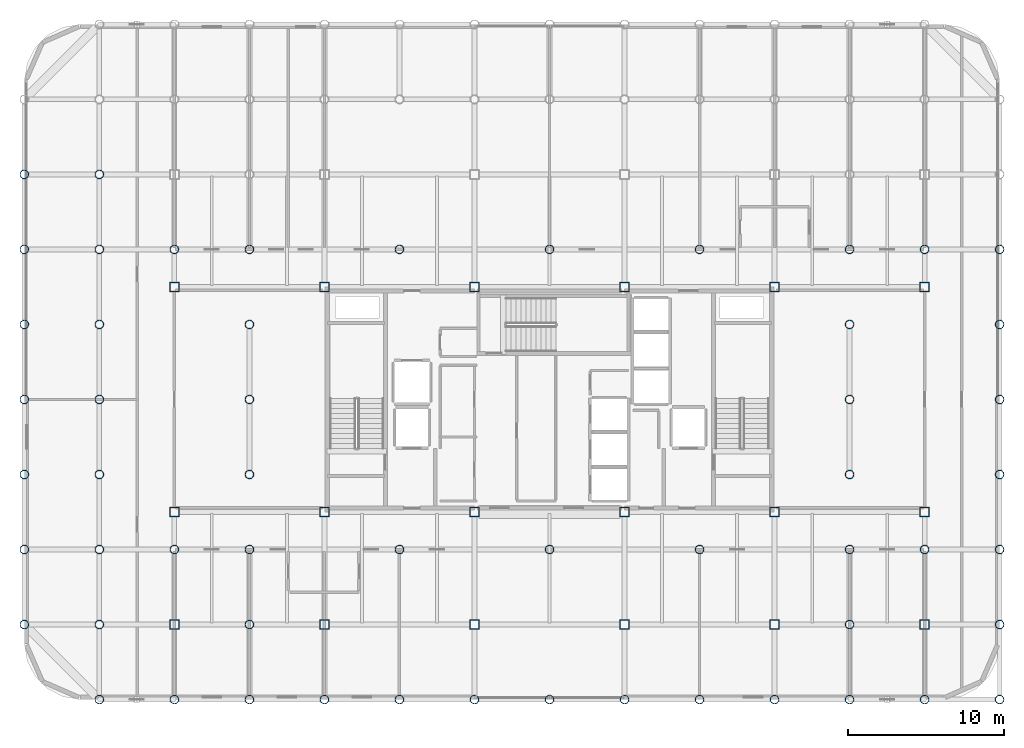
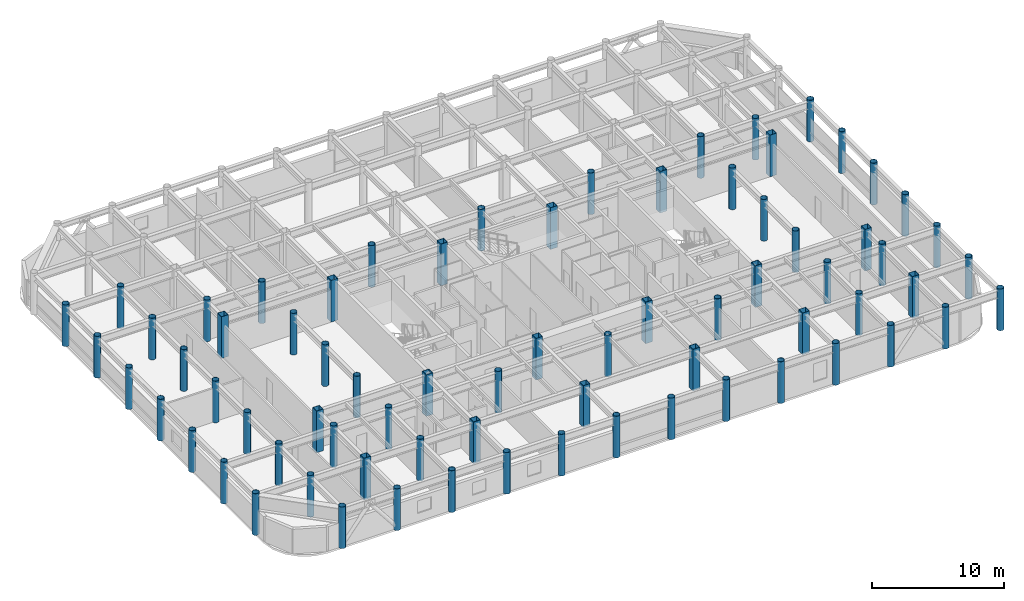
# One storey, part 1 of 22: 73 columns.
"""IFC4 building model written with IfcOpenShell, lengths in metres."""

from ifc_helpers import new_model, si_unit, direction, frame, origin, origin_2d, place, context, subcontext, project, spatial, hollow_rectangle, hollow_circle, extrude, material, material_profile, profile_set, type_object, element, save


model = new_model("IFC4")

# Units and contexts
model_context = context("Model", 3, precision=1e-05, world=origin(), true_north=direction((0.0, 1.0)))
body_context = subcontext(model_context, "Body", "Model", "MODEL_VIEW")
ifc_project = project(units=[si_unit("LENGTHUNIT", "METRE"), si_unit("AREAUNIT", "SQUARE_METRE"), si_unit("VOLUMEUNIT", "CUBIC_METRE"), si_unit("PLANEANGLEUNIT", "RADIAN"), si_unit("MASSUNIT", "GRAM", prefix="KILO")], contexts=[model_context])

# Site, building, storey
site_placement = place(None, origin())
site = spatial("IfcSite", under=ifc_project, at=site_placement, CompositionType="ELEMENT")
building_placement = place(site_placement, origin())
building = spatial("IfcBuilding", under=site, at=building_placement, Name="Kallvorn Hotel Tower", CompositionType="ELEMENT")
storey_placement = place(building_placement, frame((0.0, 0.0, 260.800048828125)))
storey = spatial("IfcBuildingStorey", under=building, at=storey_placement, Name="L65", CompositionType="ELEMENT", Elevation=260.800048828125)

# Columns
ifc_material_1 = material(Name="Structural steel S355J2H", Category="steel")
ifc_material_profile_1 = material_profile(ifc_material_1, hollow_circle(Radius=0.279541015625, WallThickness=0.02490234375, at=origin_2d()), Name="CHS 559x25")
ifc_profile_set_1 = profile_set([ifc_material_profile_1], Name="Structural steel S355J2H")
column_type_1 = type_object("IfcColumnType", Name="COL_CHS_559", PredefinedType="COLUMN", material=ifc_profile_set_1)
for number, where, z_axis, x_axis, name in (
    (1, (-33.60009765625, -14.39990234375, 0.0), (0.0, 0.0, 1.0), (1.0, 0.0, 0.0), "L65 Exoskeleton Column EC01"),
    (2, (-33.60009765625, -9.60009765625, 0.0), (0.0, 0.0, 1.0), (1.0, 0.0, 0.0), "L65 Exoskeleton Column EC02"),
    (3, (-33.60009765625, -4.800048828125, 0.0), (0.0, 0.0, 1.0), (1.0, 0.0, 0.0), "L65 Exoskeleton Column EC03"),
    (4, (-33.60009765625, 0.0, 0.0), (0.0, 0.0, 1.0), (1.0, 0.0, 0.0), "L65 Exoskeleton Column EC04"),
    (5, (-33.60009765625, 4.800048828125, 0.0), (0.0, 0.0, 1.0), (1.0, 0.0, 0.0), "L65 Exoskeleton Column EC05"),
    (6, (-33.60009765625, 9.60009765625, 0.0), (0.0, 0.0, 1.0), (1.0, 0.0, 0.0), "L65 Exoskeleton Column EC06"),
    (7, (-33.60009765625, 14.39990234375, 0.0), (0.0, 0.0, 1.0), (1.0, 0.0, 0.0), "L65 Exoskeleton Column EC07"),
    (8, (-28.800048828125, -19.199951171875, 0.0), (0.0, 0.0, 1.0), (1.0, 0.0, 0.0), "L65 Exoskeleton Column EC09"),
    (9, (-28.800048828125, -14.39990234375, 0.0), (0.0, 0.0, 1.0), (1.0, 0.0, 0.0), "L65 Exoskeleton Column EC10"),
    (10, (-28.800048828125, -9.60009765625, 0.0), (0.0, 0.0, 1.0), (1.0, 0.0, 0.0), "L65 Exoskeleton Column EC11"),
    (11, (-28.800048828125, -4.800048828125, 0.0), (0.0, 0.0, 1.0), (1.0, 0.0, 0.0), "L65 Exoskeleton Column EC12"),
    (12, (-28.800048828125, 0.0, 0.0), (0.0, 0.0, 1.0), (1.0, 0.0, 0.0), "L65 Exoskeleton Column EC13"),
    (13, (-28.800048828125, 4.800048828125, 0.0), (0.0, 0.0, 1.0), (1.0, 0.0, 0.0), "L65 Exoskeleton Column EC14"),
    (14, (-28.800048828125, 9.60009765625, 0.0), (0.0, 0.0, 1.0), (1.0, 0.0, 0.0), "L65 Exoskeleton Column EC15"),
    (15, (-28.800048828125, 14.39990234375, 0.0), (0.0, 0.0, 1.0), (1.0, 0.0, 0.0), "L65 Exoskeleton Column EC16"),
    (16, (-24.0, -19.199951171875, 0.0), (0.0, 0.0, 1.0), (1.0, 0.0, 0.0), "L65 Exoskeleton Column EC19"),
    (17, (-24.0, -9.60009765625, 0.0), (0.0, 0.0, 1.0), (1.0, 0.0, 0.0), "L65 Exoskeleton Column EC20"),
    (18, (-24.0, 9.60009765625, 0.0), (0.0, 0.0, 1.0), (1.0, 0.0, 0.0), "L65 Exoskeleton Column EC21"),
    (19, (-19.199951171875, -19.199951171875, 0.0), (0.0, 0.0, 1.0), (1.0, 0.0, 0.0), "L65 Exoskeleton Column EC24"),
    (20, (-19.199951171875, -14.39990234375, 0.0), (0.0, 0.0, 1.0), (1.0, 0.0, 0.0), "L65 Exoskeleton Column EC25"),
    (21, (-19.199951171875, -9.60009765625, 0.0), (0.0, 0.0, 1.0), (1.0, 0.0, 0.0), "L65 Exoskeleton Column EC26"),
    (22, (-19.199951171875, -4.800048828125, 0.0), (0.0, 0.0, 1.0), (1.0, 0.0, 0.0), "L65 Exoskeleton Column EC27"),
    (23, (-19.199951171875, 0.0, 0.0), (0.0, 0.0, 1.0), (1.0, 0.0, 0.0), "L65 Exoskeleton Column EC28"),
    (24, (-19.199951171875, 4.800048828125, 0.0), (0.0, 0.0, 1.0), (1.0, 0.0, 0.0), "L65 Exoskeleton Column EC29"),
    (25, (-19.199951171875, 9.60009765625, 0.0), (0.0, 0.0, 1.0), (1.0, 0.0, 0.0), "L65 Exoskeleton Column EC30"),
    (26, (-14.39990234375, -19.199951171875, 0.0), (0.0, 0.0, 1.0), (1.0, 0.0, 0.0), "L65 Exoskeleton Column EC34"),
    (27, (-9.60009765625, -19.199951171875, 0.0), (0.0, 0.0, 1.0), (1.0, 0.0, 0.0), "L65 Exoskeleton Column EC37"),
    (28, (-9.60009765625, -9.60009765625, 0.0), (0.0, 0.0, 1.0), (1.0, 0.0, 0.0), "L65 Exoskeleton Column EC38"),
    (29, (-9.60009765625, 9.60009765625, 0.0), (0.0, 0.0, 1.0), (1.0, 0.0, 0.0), "L65 Exoskeleton Column EC39"),
    (30, (-4.800048828125, -19.199951171875, 0.0), (0.0, 0.0, 1.0), (1.0, 0.0, 0.0), "L65 Exoskeleton Column EC42"),
    (31, (0.0, -19.199951171875, 0.0), (0.0, 0.0, 1.0), (1.0, 0.0, 0.0), "L65 Exoskeleton Column EC45"),
    (32, (0.0, -9.60009765625, 0.0), (0.0, 0.0, 1.0), (1.0, 0.0, 0.0), "L65 Exoskeleton Column EC46"),
    (33, (0.0, 9.60009765625, 0.0), (0.0, 0.0, 1.0), (1.0, 0.0, 0.0), "L65 Exoskeleton Column EC47"),
    (34, (4.800048828125, -19.199951171875, 0.0), (0.0, 0.0, 1.0), (1.0, 0.0, 0.0), "L65 Exoskeleton Column EC50"),
    (35, (9.60009765625, -19.199951171875, 0.0), (0.0, 0.0, 1.0), (1.0, 0.0, 0.0), "L65 Exoskeleton Column EC53"),
    (36, (9.60009765625, -9.60009765625, 0.0), (0.0, 0.0, 1.0), (1.0, 0.0, 0.0), "L65 Exoskeleton Column EC54"),
    (37, (9.60009765625, 9.60009765625, 0.0), (0.0, 0.0, 1.0), (1.0, 0.0, 0.0), "L65 Exoskeleton Column EC55"),
    (38, (14.39990234375, -19.199951171875, 0.0), (0.0, 0.0, 1.0), (1.0, 0.0, 0.0), "L65 Exoskeleton Column EC58"),
    (39, (19.199951171875, -19.199951171875, 0.0), (0.0, 0.0, 1.0), (1.0, 0.0, 0.0), "L65 Exoskeleton Column EC61"),
    (40, (19.199951171875, -14.39990234375, 0.0), (0.0, 0.0, 1.0), (1.0, 0.0, 0.0), "L65 Exoskeleton Column EC62"),
    (41, (19.199951171875, -9.60009765625, 0.0), (0.0, 0.0, 1.0), (1.0, 0.0, 0.0), "L65 Exoskeleton Column EC63"),
    (42, (19.199951171875, -4.800048828125, 0.0), (0.0, 0.0, 1.0), (1.0, 0.0, 0.0), "L65 Exoskeleton Column EC64"),
    (43, (19.199951171875, 0.0, 0.0), (0.0, 0.0, 1.0), (1.0, 0.0, 0.0), "L65 Exoskeleton Column EC65"),
    (44, (19.199951171875, 4.800048828125, 0.0), (0.0, 0.0, 1.0), (1.0, 0.0, 0.0), "L65 Exoskeleton Column EC66"),
    (45, (19.199951171875, 9.60009765625, 0.0), (0.0, 0.0, 1.0), (1.0, 0.0, 0.0), "L65 Exoskeleton Column EC67"),
    (46, (24.0, -19.199951171875, 0.0), (0.0, 0.0, 1.0), (1.0, 0.0, 0.0), "L65 Exoskeleton Column EC71"),
    (47, (24.0, -9.60009765625, 0.0), (0.0, 0.0, 1.0), (1.0, 0.0, 0.0), "L65 Exoskeleton Column EC72"),
    (48, (24.0, 9.60009765625, 0.0), (0.0, 0.0, 1.0), (1.0, 0.0, 0.0), "L65 Exoskeleton Column EC73"),
    (49, (28.800048828125, -19.199951171875, 0.0), (0.0, 0.0, 1.0), (1.0, 0.0, 0.0), "L65 Exoskeleton Column EC76"),
    (50, (28.800048828125, -14.39990234375, 0.0), (0.0, 0.0, 1.0), (1.0, 0.0, 0.0), "L65 Exoskeleton Column EC77"),
    (51, (28.800048828125, -9.60009765625, 0.0), (0.0, 0.0, 1.0), (1.0, 0.0, 0.0), "L65 Exoskeleton Column EC78"),
    (52, (28.800048828125, -4.800048828125, 0.0), (0.0, 0.0, 1.0), (1.0, 0.0, 0.0), "L65 Exoskeleton Column EC79"),
    (53, (28.800048828125, 0.0, 0.0), (0.0, 0.0, 1.0), (1.0, 0.0, 0.0), "L65 Exoskeleton Column EC80"),
    (54, (28.800048828125, 4.800048828125, 0.0), (0.0, 0.0, 1.0), (1.0, 0.0, 0.0), "L65 Exoskeleton Column EC81"),
    (55, (28.800048828125, 9.60009765625, 0.0), (0.0, 0.0, 1.0), (1.0, 0.0, 0.0), "L65 Exoskeleton Column EC82"),
):
    element("IfcColumn", number, at=place(storey_placement, frame(where, z_axis=z_axis, x_axis=x_axis)), inside=storey, type_object=column_type_1, Name=name, PredefinedType="COLUMN", context=body_context, shape_type="SweptSolid", body=[
        extrude(hollow_circle(Radius=0.279541015625, WallThickness=0.02490234375, at=origin_2d()), origin(), (0.0, 0.0, 1.0), 3.849853515625),
    ])
ifc_material_2 = material(Name="Structural steel S355J2H", Category="steel")
ifc_material_profile_2 = material_profile(ifc_material_2, hollow_rectangle(XDim=0.60009765625, YDim=0.60009765625, WallThickness=0.028076171875, at=origin_2d()), Name="RHS 600x600x28")
ifc_profile_set_2 = profile_set([ifc_material_profile_2], Name="Structural steel S355J2H")
column_type_2 = type_object("IfcColumnType", Name="COL_RHS_600", PredefinedType="COLUMN", material=ifc_profile_set_2)
for number, where, z_axis, x_axis, name in (
    (56, (-24.0, -14.39990234375, 0.0), (0.0, 0.0, 1.0), (1.0, 0.0, 0.0), "L65 Inner Column IC01"),
    (57, (-24.0, -7.199951171875, 0.0), (0.0, 0.0, 1.0), (1.0, 0.0, 0.0), "L65 Inner Column IC02"),
    (58, (-24.0, 7.199951171875, 0.0), (0.0, 0.0, 1.0), (1.0, 0.0, 0.0), "L65 Inner Column IC03"),
    (59, (-14.39990234375, -14.39990234375, 0.0), (0.0, 0.0, 1.0), (1.0, 0.0, 0.0), "L65 Inner Column IC05"),
    (60, (-14.39990234375, -7.199951171875, 0.0), (0.0, 0.0, 1.0), (1.0, 0.0, 0.0), "L65 Inner Column IC06"),
    (61, (-14.39990234375, 7.199951171875, 0.0), (0.0, 0.0, 1.0), (1.0, 0.0, 0.0), "L65 Inner Column IC07"),
    (62, (-4.800048828125, -14.39990234375, 0.0), (0.0, 0.0, 1.0), (1.0, 0.0, 0.0), "L65 Inner Column IC09"),
    (63, (-4.800048828125, -7.199951171875, 0.0), (0.0, 0.0, 1.0), (1.0, 0.0, 0.0), "L65 Inner Column IC10"),
    (64, (-4.800048828125, 7.199951171875, 0.0), (0.0, 0.0, 1.0), (1.0, 0.0, 0.0), "L65 Inner Column IC11"),
    (65, (4.800048828125, -14.39990234375, 0.0), (0.0, 0.0, 1.0), (1.0, 0.0, 0.0), "L65 Inner Column IC13"),
    (66, (4.800048828125, -7.199951171875, 0.0), (0.0, 0.0, 1.0), (1.0, 0.0, 0.0), "L65 Inner Column IC14"),
    (67, (4.800048828125, 7.199951171875, 0.0), (0.0, 0.0, 1.0), (1.0, 0.0, 0.0), "L65 Inner Column IC15"),
    (68, (14.39990234375, -14.39990234375, 0.0), (0.0, 0.0, 1.0), (1.0, 0.0, 0.0), "L65 Inner Column IC17"),
    (69, (14.39990234375, -7.199951171875, 0.0), (0.0, 0.0, 1.0), (1.0, 0.0, 0.0), "L65 Inner Column IC18"),
    (70, (14.39990234375, 7.199951171875, 0.0), (0.0, 0.0, 1.0), (1.0, 0.0, 0.0), "L65 Inner Column IC19"),
    (71, (24.0, -14.39990234375, 0.0), (0.0, 0.0, 1.0), (1.0, 0.0, 0.0), "L65 Inner Column IC21"),
    (72, (24.0, -7.199951171875, 0.0), (0.0, 0.0, 1.0), (1.0, 0.0, 0.0), "L65 Inner Column IC22"),
    (73, (24.0, 7.199951171875, 0.0), (0.0, 0.0, 1.0), (1.0, 0.0, 0.0), "L65 Inner Column IC23"),
):
    element("IfcColumn", number, at=place(storey_placement, frame(where, z_axis=z_axis, x_axis=x_axis)), inside=storey, type_object=column_type_2, Name=name, PredefinedType="COLUMN", context=body_context, shape_type="SweptSolid", body=[
        extrude(hollow_rectangle(XDim=0.60009765625, YDim=0.60009765625, WallThickness=0.028076171875, at=origin_2d()), origin(), (0.0, 0.0, 1.0), 3.849853515625),
    ])

save(model, "model.ifc")
